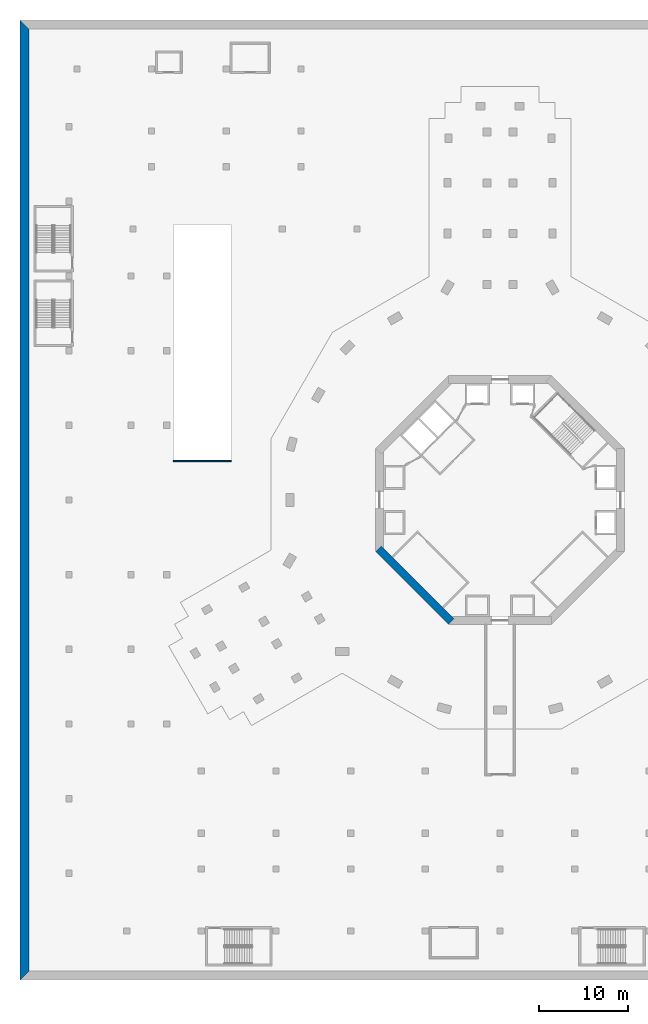
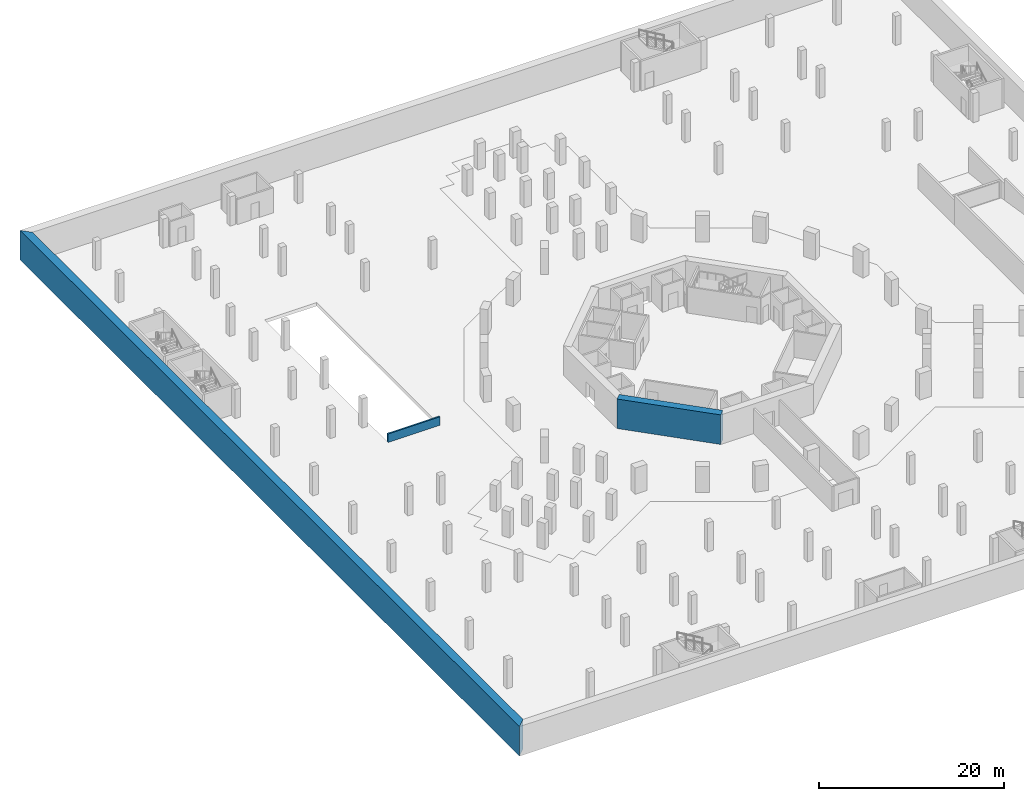
# One storey, part 6 of 25: 3 walls.
"""IFC4 building model written with IfcOpenShell, lengths in metres."""

import ifcopenshell
import ifcopenshell.guid

model = None  # the IFC model being written
_history = None  # IfcOwnerHistory: only IFC2X3 demands one
_inside = {}  # id of a spatial element -> (the spatial element, [elements in it])
_under = {}  # id of a project, library or spatial element -> (it, [spatial elements below it])
_declared = {}  # id of a project -> (the project, [libraries it declares])
_typed = {}  # id of a type object -> (the type object, [elements of that type])
_made_of = {}  # id of a material, layer set ... -> (it, [elements and type objects made of it])


def new_model(schema):
    """Start an empty IFC model of exactly this schema.

    Asked for "IFC4X3", IfcOpenShell would pick the latest addendum, in which some entities
    have other attributes; the version numbers below select the first issue.
    IFC2X3 requires an IfcOwnerHistory on every rooted entity: one is made here for all.
    """
    global model, _history
    if schema == "IFC4X3":
        model = ifcopenshell.file(schema_version=(4, 3, 0, 0))
    else:
        model = ifcopenshell.file(schema=schema)
    _inside.clear()
    _under.clear()
    _declared.clear()
    _typed.clear()
    _made_of.clear()
    _history = None
    if model.schema == "IFC2X3":
        org = make("IfcOrganization", Name="unknown")
        user = make(
            "IfcPersonAndOrganization",
            ThePerson=make("IfcPerson", FamilyName="unknown"),
            TheOrganization=org,
        )
        app = make(
            "IfcApplication",
            ApplicationDeveloper=org,
            Version="unknown",
            ApplicationFullName="unknown",
            ApplicationIdentifier="unknown",
        )
        _history = make(
            "IfcOwnerHistory",
            OwningUser=user,
            OwningApplication=app,
            ChangeAction="ADDED",
            CreationDate=0,
        )
    return model


def make(cls, **values):
    """One entity of the class cls with the attributes given. An attribute that is None is left unset."""
    return model.create_entity(
        cls, **{name: value for name, value in values.items() if value is not None}
    )


def rooted(cls, **values):
    """An entity with a GlobalId (a new one), such as an element, a storey or a relation."""
    return make(cls, GlobalId=ifcopenshell.guid.new(), OwnerHistory=_history, **values)


def si_unit(unit_type, name, prefix=None):
    """IfcSIUnit, for example si_unit("LENGTHUNIT", "METRE", prefix="MILLI")."""
    return make("IfcSIUnit", UnitType=unit_type, Prefix=prefix, Name=name)


def assignment(units):
    """IfcUnitAssignment: the units of a project."""
    return None if units is None else make("IfcUnitAssignment", Units=units)


def point(xyz):
    """IfcCartesianPoint."""
    return None if xyz is None else make("IfcCartesianPoint", Coordinates=xyz)


def direction(xyz):
    """IfcDirection."""
    return None if xyz is None else make("IfcDirection", DirectionRatios=xyz)


def frame(location, z_axis=None, x_axis=None):
    """IfcAxis2Placement3D, a coordinate frame: its origin and axes. An axis left out is left unset."""
    return make(
        "IfcAxis2Placement3D",
        Location=point(location),
        Axis=direction(z_axis),
        RefDirection=direction(x_axis),
    )


def frame_2d(location, x_axis=None):
    """IfcAxis2Placement2D, a coordinate frame in the plane: its origin and x axis."""
    return make(
        "IfcAxis2Placement2D", Location=point(location), RefDirection=direction(x_axis)
    )


def origin():
    """The frame at (0, 0, 0) with its axes left unset."""
    return frame((0.0, 0.0, 0.0))


def place(relative_to, where):
    """IfcLocalPlacement: puts the frame where relative to a parent placement (None: the world)."""
    return make(
        "IfcLocalPlacement", PlacementRelTo=relative_to, RelativePlacement=where
    )


def context(
    kind, dimensions, precision=None, world=None, true_north=None, identifier=None
):
    """IfcGeometricRepresentationContext, for example the 3D "Model" context."""
    return make(
        "IfcGeometricRepresentationContext",
        ContextIdentifier=identifier,
        ContextType=kind,
        CoordinateSpaceDimension=dimensions,
        Precision=precision,
        WorldCoordinateSystem=world,
        TrueNorth=true_north,
    )


def subcontext(parent, identifier, kind, view, scale=None):
    """IfcGeometricRepresentationSubContext, for example "Body" below "Model"."""
    return make(
        "IfcGeometricRepresentationSubContext",
        ContextIdentifier=identifier,
        ContextType=kind,
        ParentContext=parent,
        TargetScale=scale,
        TargetView=view,
    )


def project(units=None, contexts=None):
    """IfcProject with its units and contexts."""
    return rooted(
        "IfcProject",
        Name="project",
        RepresentationContexts=contexts,
        UnitsInContext=assignment(units),
    )


def spatial(cls, under=None, at=None, **own):
    """A site, building, storey or space (cls), placed at a placement, below another one or the project."""
    s = rooted(cls, ObjectPlacement=at, **own)
    if under is not None:
        _under.setdefault(under.id(), (under, []))[1].append(s)
    return s


def polyline(points):
    """IfcPolyline through the points."""
    return make("IfcPolyline", Points=[point(p) for p in points])


def profile(cls, at=None, kind="AREA", **sizes):
    """A parametric profile (cls). Its sizes go by their IFC names, for example OverallWidth=200.0."""
    return make(cls, ProfileType=kind, Position=at, **sizes)


def rectangle(**sizes):
    """IfcRectangleProfileDef."""
    return profile("IfcRectangleProfileDef", **sizes)


def outline(outer, holes=None, kind="AREA"):
    """IfcArbitraryClosedProfileDef: a profile drawn as a closed curve; with holes, ...WithVoids."""
    if holes is None:
        return make("IfcArbitraryClosedProfileDef", ProfileType=kind, OuterCurve=outer)
    return make(
        "IfcArbitraryProfileDefWithVoids",
        ProfileType=kind,
        OuterCurve=outer,
        InnerCurves=holes,
    )


def extrude(swept, where, along, depth):
    """IfcExtrudedAreaSolid: the profile swept, set in the frame where, extruded along a direction by depth."""
    return make(
        "IfcExtrudedAreaSolid",
        SweptArea=swept,
        Position=where,
        ExtrudedDirection=direction(along),
        Depth=depth,
    )


def shape(context_of_items, identifier, shape_type, items):
    """IfcShapeRepresentation: the items that make up one representation, for example the "Body"."""
    return make(
        "IfcShapeRepresentation",
        ContextOfItems=context_of_items,
        RepresentationIdentifier=identifier,
        RepresentationType=shape_type,
        Items=items,
    )


def material(Name=None, Category=None):
    """IfcMaterial."""
    return make("IfcMaterial", Name=Name, Category=Category)


def layer(
    of_material, thickness, ventilated=None, Name=None, Category=None, Priority=None
):
    """IfcMaterialLayer: one layer of a wall or slab, of a material (None: an air gap)."""
    return make(
        "IfcMaterialLayer",
        Material=of_material,
        LayerThickness=thickness,
        IsVentilated=ventilated,
        Name=Name,
        Category=Category,
        Priority=Priority,
    )


def layer_set(layers, Name=None):
    """IfcMaterialLayerSet."""
    return make("IfcMaterialLayerSet", MaterialLayers=layers, LayerSetName=Name)


def made_of(thing, what):
    """Note that an element or type object is made of a material, layer set ...; save() writes the relation."""
    if what is not None:
        _made_of.setdefault(what.id(), (what, []))[1].append(thing)
    return thing


def type_object(cls, material=None, **own):
    """A type object (cls), such as IfcWallType, which elements share."""
    return made_of(rooted(cls, **own), material)


def element(
    cls,
    number,
    at=None,
    inside=None,
    cuts=None,
    type_object=None,
    material=None,
    context=None,
    identifier="Body",
    shape_type=None,
    held_by="IfcProductDefinitionShape",
    body=None,
    shapes=None,
    **own,
):
    """One element of the class cls, such as IfcWall. Its Tag is "e" and its number.

    at: its placement. inside: the storey or other place that contains it. cuts: it is an
    opening in that element (IfcRelVoidsElement). A single representation is given by context,
    identifier, shape_type and body (its items); several are given by shapes. held_by: the class
    of the entity that holds the representations. save() writes the other relations.
    """
    e = rooted(cls, Tag="e%d" % number, ObjectPlacement=at, **own)
    if body is not None:
        shapes = [shape(context, identifier, shape_type, body)]
    if shapes is not None:
        e.Representation = make(held_by, Representations=shapes)
    if inside is not None:
        _inside.setdefault(inside.id(), (inside, []))[1].append(e)
    if cuts is not None:
        rooted(
            "IfcRelVoidsElement", RelatingBuildingElement=cuts, RelatedOpeningElement=e
        )
    if type_object is not None:
        _typed.setdefault(type_object.id(), (type_object, []))[1].append(e)
    return made_of(e, material)


def aggregate(whole, parts):
    """IfcRelAggregates: a whole, such as a stair, and the parts it consists of."""
    return rooted("IfcRelAggregates", RelatingObject=whole, RelatedObjects=parts)


def save(model, path):
    """Write the relations noted so far, then the file.

    IfcRelAggregates (storeys below a building ...), IfcRelContainedInSpatialStructure (elements
    in a storey), IfcRelDefinesByType, IfcRelAssociatesMaterial and IfcRelDeclares: one each for
    every whole, place, type object, material and project.
    """
    for whole, parts in _under.values():
        aggregate(whole, parts)
    for where, things in _inside.values():
        rooted(
            "IfcRelContainedInSpatialStructure",
            RelatedElements=things,
            RelatingStructure=where,
        )
    for kind, things in _typed.values():
        rooted("IfcRelDefinesByType", RelatedObjects=things, RelatingType=kind)
    for what, things in _made_of.values():
        rooted("IfcRelAssociatesMaterial", RelatedObjects=things, RelatingMaterial=what)
    for by, libraries in _declared.values():
        rooted("IfcRelDeclares", RelatingContext=by, RelatedDefinitions=libraries)
    model.write(path)


model = new_model("IFC4")

# Units and contexts
model_context = context("Model", 3, precision=1e-05, world=origin(), true_north=direction((0.0, 1.0)))
body_context = subcontext(model_context, "Body", "Model", "MODEL_VIEW")
ifc_project = project(units=[si_unit("LENGTHUNIT", "METRE"), si_unit("AREAUNIT", "SQUARE_METRE"), si_unit("VOLUMEUNIT", "CUBIC_METRE"), si_unit("PLANEANGLEUNIT", "RADIAN"), si_unit("MASSUNIT", "GRAM", prefix="KILO")], contexts=[model_context])

# Site, building, storey
site_placement = place(None, origin())
site = spatial("IfcSite", under=ifc_project, at=site_placement, CompositionType="ELEMENT")
building_placement = place(site_placement, origin())
building = spatial("IfcBuilding", under=site, at=building_placement, Name="Verdalira Terraces Hotel", CompositionType="ELEMENT")
storey_placement = place(building_placement, frame((0.0, 0.0, -3.899902)))
storey = spatial("IfcBuildingStorey", under=building, at=storey_placement, Name="B1", CompositionType="ELEMENT", Elevation=-3.89990234375)

# Walls
ifc_material_1 = material(Name="Concrete C70", Category="concrete")
ifc_layer_1 = layer(ifc_material_1, 0.89990234375)
ifc_layer_set_1 = layer_set([ifc_layer_1], Name="Core wall 900 C70")
wall_type_1 = type_object("IfcWallType", Name="Core wall 900 C70", PredefinedType="SHEAR", material=ifc_layer_set_1)
wall_1_placement = place(storey_placement, frame((-13.681885, -5.480713, 0.0), z_axis=(0.0, 0.0, 1.0), x_axis=(0.707106781, -0.707106781, 0.0)))
element("IfcWall", 1, at=wall_1_placement, inside=storey, type_object=wall_type_1, Name="Core wall CW-B1-6", PredefinedType="SHEAR", context=body_context, shape_type="SweptSolid", body=[
    extrude(rectangle(XDim=11.598145, YDim=0.899902, at=frame_2d((5.799072, 0.0))), origin(), (0.0, 0.0, 1.0), 3.899902),
])
ifc_material_2 = material(Name="Concrete C40", Category="concrete")
ifc_layer_2 = layer(ifc_material_2, 0.199951171875)
ifc_layer_set_2 = layer_set([ifc_layer_2], Name="Ramp opening guard 200 C40")
wall_type_2 = type_object("IfcWallType", Name="Ramp opening guard 200 C40", PredefinedType="PARAPET", material=ifc_layer_set_2)
wall_2_placement = place(storey_placement, frame((-30.25, 4.399902, 0.0), z_axis=(0.0, 0.0, 1.0), x_axis=(-1.0, 0.0, 0.0)))
element("IfcWall", 2, at=wall_2_placement, inside=storey, type_object=wall_type_2, Name="Ramp opening guard 2", PredefinedType="PARAPET", context=body_context, shape_type="SweptSolid", body=[
    extrude(rectangle(XDim=6.5, YDim=0.199951, at=frame_2d((3.25, 0.0))), origin(), (0.0, 0.0, 1.0), 1.119873),
])
ifc_material_3 = material(Name="Concrete C40", Category="concrete")
ifc_layer_3 = layer(ifc_material_3, 1.0)
ifc_layer_set_3 = layer_set([ifc_layer_3], Name="Retaining wall 1000 C40")
wall_type_3 = type_object("IfcWallType", Name="Retaining wall 1000 C40", PredefinedType="SOLIDWALL", material=ifc_layer_set_3)
wall_3_placement = place(storey_placement, origin())
element("IfcWall", 3, at=wall_3_placement, inside=storey, type_object=wall_type_3, Name="Retaining wall B1 side 2", PredefinedType="SOLIDWALL", context=body_context, shape_type="SweptSolid", body=[
    extrude(outline(polyline([(-54.0, 54.0), (-54.0, -54.0), (-53.0, -53.0), (-53.0, 53.0), (-54.0, 54.0)])), origin(), (0.0, 0.0, 1.0), 3.899902),
])

save(model, "model.ifc")
